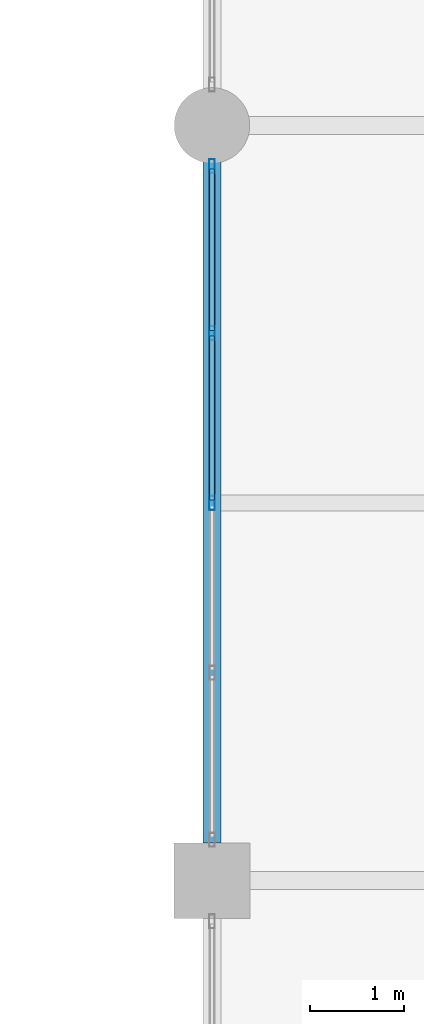
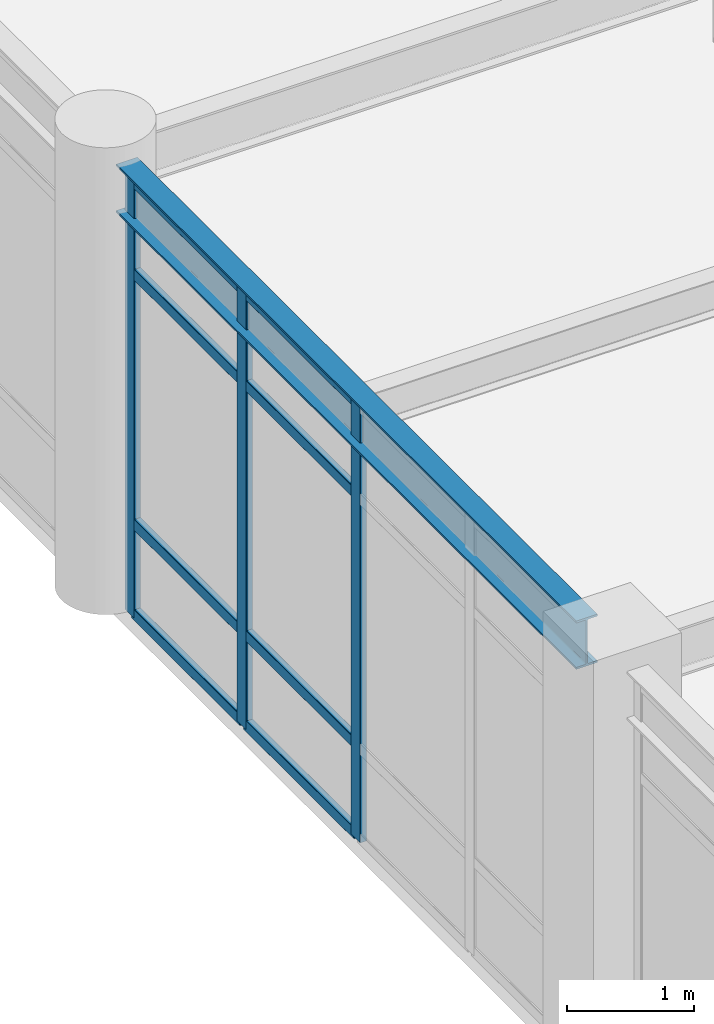
# One storey, part 19 of 78: 11 members, 1 beam, 1 element without a shape of its own.
"""IFC4 building model written with IfcOpenShell, lengths in metres."""

from ifc_helpers import new_model, si_unit, direction, frame, origin, origin_2d, place, context, subcontext, project, spatial, hollow_rectangle, i_section, extrude, material, material_profile, profile_set, type_object, element, aggregate, save


model = new_model("IFC4")

# Units and contexts
model_context = context("Model", 3, precision=1e-05, world=origin(), true_north=direction((0.0, 1.0)))
body_context = subcontext(model_context, "Body", "Model", "MODEL_VIEW")
ifc_project = project(units=[si_unit("LENGTHUNIT", "METRE"), si_unit("AREAUNIT", "SQUARE_METRE"), si_unit("VOLUMEUNIT", "CUBIC_METRE"), si_unit("PLANEANGLEUNIT", "RADIAN"), si_unit("MASSUNIT", "GRAM", prefix="KILO")], contexts=[model_context])

# Site, building, storey
site_placement = place(None, origin())
site = spatial("IfcSite", under=ifc_project, at=site_placement, CompositionType="ELEMENT")
building_placement = place(site_placement, origin())
building = spatial("IfcBuilding", under=site, at=building_placement, Name="Solmirada Galleria", CompositionType="ELEMENT")
storey_placement = place(building_placement, frame((0.0, 0.0, 23.89990234375)))
storey = spatial("IfcBuildingStorey", under=building, at=storey_placement, Name="L05", CompositionType="ELEMENT", Elevation=23.89990234375)

# Beam
ifc_material_1 = material(Name="Steel S355 / ASTM A992 Grade 50", Category="steel")
ifc_material_profile_1 = material_profile(ifc_material_1, i_section(OverallWidth=0.193115234375, OverallDepth=0.466064453125, WebThickness=0.011474609375, FlangeThickness=0.01904296875, FilletRadius=0.013916015625, at=origin_2d()), Name="W18X65")
ifc_profile_set_1 = profile_set([ifc_material_profile_1], Name="Steel S355 / ASTM A992 Grade 50")
beam_type = type_object("IfcBeamType", Name="BM-GIRD-W18C", PredefinedType="BEAM", material=ifc_profile_set_1)
beam_placement = place(storey_placement, frame((80.0, 56.39990234375, 4.067138671875), z_axis=(0.0, 1.0, 0.0), x_axis=(-1.0, 0.0, 0.0)))
element("IfcBeam", 1, at=beam_placement, inside=storey, type_object=beam_type, Name="Primary girder L06 Y(80, 56..64)", PredefinedType="BEAM", context=body_context, shape_type="SweptSolid", body=[
    extrude(i_section(OverallWidth=0.193115234375, OverallDepth=0.466064453125, WebThickness=0.011474609375, FlangeThickness=0.01904296875, FilletRadius=0.013916015625, at=origin_2d()), origin(), (0.0, 0.0, 1.0), 7.26416015625),
])

# Curtain wall, members
ifc_material_2 = material(Name="Impact-resistant low-E double glazing", Category="glass")
curtain_wall_type = type_object("IfcCurtainWallType", Name="CW-FZ3-L05-B4-L072", PredefinedType="NOTDEFINED", material=ifc_material_2)
curtain_wall_placement = place(storey_placement, origin())
curtain_wall = element("IfcCurtainWall", 2, at=curtain_wall_placement, inside=storey, type_object=curtain_wall_type, Name="Terrace and arcade storefront CW-L05-165", PredefinedType="NOTDEFINED")
ifc_material_3 = material(Name="Anodised aluminium framing", Category="aluminium")
ifc_material_profile_2 = material_profile(ifc_material_3, hollow_rectangle(XDim=0.06005859375, YDim=0.14990234375, WallThickness=0.00341796875, InnerFilletRadius=0.00341796875, OuterFilletRadius=0.007080078125, at=origin_2d()), Name="ALU-MULL-150X60")
ifc_profile_set_2 = profile_set([ifc_material_profile_2], Name="Anodised aluminium framing")
member_type_1 = type_object("IfcMemberType", Name="CW-MULL-150", PredefinedType="MULLION", material=ifc_profile_set_2)
member_1_placement = place(storey_placement, frame((80.0, 60.0, 0.0), z_axis=(0.0, 0.0, 1.0), x_axis=(-1.0, 0.0, 0.0)))
member_1 = element("IfcMember", 3, at=member_1_placement, type_object=member_type_1, Name="CW33 mullion 3", PredefinedType="MULLION", context=body_context, shape_type="SweptSolid", body=[
    extrude(hollow_rectangle(XDim=0.06005859375, YDim=0.14990234375, WallThickness=0.00341796875, InnerFilletRadius=0.00341796875, OuterFilletRadius=0.007080078125, at=origin_2d()), origin(), (0.0, 0.0, 1.0), 4.22021484375),
])
member_2_placement = place(storey_placement, frame((80.0, 61.799072265625, 0.0), z_axis=(0.0, 0.0, 1.0), x_axis=(-1.0, 0.0, 0.0)))
member_2 = element("IfcMember", 4, at=member_2_placement, type_object=member_type_1, Name="CW33 mullion 4", PredefinedType="MULLION", context=body_context, shape_type="SweptSolid", body=[
    extrude(hollow_rectangle(XDim=0.06005859375, YDim=0.14990234375, WallThickness=0.00341796875, InnerFilletRadius=0.00341796875, OuterFilletRadius=0.007080078125, at=origin_2d()), origin(), (0.0, 0.0, 1.0), 4.22021484375),
])
member_3_placement = place(storey_placement, frame((80.0, 63.568115234375, 0.0), z_axis=(0.0, 0.0, 1.0), x_axis=(-1.0, 0.0, 0.0)))
member_3 = element("IfcMember", 5, at=member_3_placement, type_object=member_type_1, Name="CW33 mullion 5", PredefinedType="MULLION", context=body_context, shape_type="SweptSolid", body=[
    extrude(hollow_rectangle(XDim=0.06005859375, YDim=0.14990234375, WallThickness=0.00341796875, InnerFilletRadius=0.00341796875, OuterFilletRadius=0.007080078125, at=origin_2d()), origin(), (0.0, 0.0, 1.0), 4.22021484375),
])
ifc_material_profile_3 = material_profile(ifc_material_3, hollow_rectangle(XDim=0.06005859375, YDim=0.110107421875, WallThickness=0.003173828125, InnerFilletRadius=0.003173828125, OuterFilletRadius=0.00634765625, at=origin_2d()), Name="ALU-TRAN-110X60")
ifc_profile_set_3 = profile_set([ifc_material_profile_3], Name="Anodised aluminium framing")
member_type_2 = type_object("IfcMemberType", Name="CW-TRAN-110", PredefinedType="USERDEFINED", material=ifc_profile_set_3)
member_4_placement = place(storey_placement, frame((80.0, 60.030029296875, 0.030029296875), z_axis=(0.0, 1.0, 0.0), x_axis=(-1.0, 0.0, 0.0)))
member_4 = element("IfcMember", 6, at=member_4_placement, type_object=member_type_2, Name="CW33 transom 3.1", ObjectType="TRANSOM", PredefinedType="USERDEFINED", context=body_context, shape_type="SweptSolid", body=[
    extrude(hollow_rectangle(XDim=0.06005859375, YDim=0.110107421875, WallThickness=0.003173828125, InnerFilletRadius=0.003173828125, OuterFilletRadius=0.00634765625, at=origin_2d()), origin(), (0.0, 0.0, 1.0), 1.739013671875),
])
member_5_placement = place(storey_placement, frame((80.0, 60.030029296875, 0.900146484375), z_axis=(0.0, 1.0, 0.0), x_axis=(-1.0, 0.0, 0.0)))
member_5 = element("IfcMember", 7, at=member_5_placement, type_object=member_type_2, Name="CW33 transom 3.2", ObjectType="TRANSOM", PredefinedType="USERDEFINED", context=body_context, shape_type="SweptSolid", body=[
    extrude(hollow_rectangle(XDim=0.06005859375, YDim=0.110107421875, WallThickness=0.003173828125, InnerFilletRadius=0.003173828125, OuterFilletRadius=0.00634765625, at=origin_2d()), origin(), (0.0, 0.0, 1.0), 1.739013671875),
])
member_6_placement = place(storey_placement, frame((80.0, 60.030029296875, 3.31005859375), z_axis=(0.0, 1.0, 0.0), x_axis=(-1.0, 0.0, 0.0)))
member_6 = element("IfcMember", 8, at=member_6_placement, type_object=member_type_2, Name="CW33 transom 3.3", ObjectType="TRANSOM", PredefinedType="USERDEFINED", context=body_context, shape_type="SweptSolid", body=[
    extrude(hollow_rectangle(XDim=0.06005859375, YDim=0.110107421875, WallThickness=0.003173828125, InnerFilletRadius=0.003173828125, OuterFilletRadius=0.00634765625, at=origin_2d()), origin(), (0.0, 0.0, 1.0), 1.739013671875),
])
member_7_placement = place(storey_placement, frame((80.0, 60.030029296875, 4.190185546875), z_axis=(0.0, 1.0, 0.0), x_axis=(-1.0, 0.0, 0.0)))
member_7 = element("IfcMember", 9, at=member_7_placement, type_object=member_type_2, Name="CW33 transom 3.4", ObjectType="TRANSOM", PredefinedType="USERDEFINED", context=body_context, shape_type="SweptSolid", body=[
    extrude(hollow_rectangle(XDim=0.06005859375, YDim=0.110107421875, WallThickness=0.003173828125, InnerFilletRadius=0.003173828125, OuterFilletRadius=0.00634765625, at=origin_2d()), origin(), (0.0, 0.0, 1.0), 1.739013671875),
])
member_8_placement = place(storey_placement, frame((80.0, 61.8291015625, 0.030029296875), z_axis=(0.0, 1.0, 0.0), x_axis=(-1.0, 0.0, 0.0)))
member_8 = element("IfcMember", 10, at=member_8_placement, type_object=member_type_2, Name="CW33 transom 4.1", ObjectType="TRANSOM", PredefinedType="USERDEFINED", context=body_context, shape_type="SweptSolid", body=[
    extrude(hollow_rectangle(XDim=0.06005859375, YDim=0.110107421875, WallThickness=0.003173828125, InnerFilletRadius=0.003173828125, OuterFilletRadius=0.00634765625, at=origin_2d()), origin(), (0.0, 0.0, 1.0), 1.708984375),
])
member_9_placement = place(storey_placement, frame((80.0, 61.8291015625, 0.900146484375), z_axis=(0.0, 1.0, 0.0), x_axis=(-1.0, 0.0, 0.0)))
member_9 = element("IfcMember", 11, at=member_9_placement, type_object=member_type_2, Name="CW33 transom 4.2", ObjectType="TRANSOM", PredefinedType="USERDEFINED", context=body_context, shape_type="SweptSolid", body=[
    extrude(hollow_rectangle(XDim=0.06005859375, YDim=0.110107421875, WallThickness=0.003173828125, InnerFilletRadius=0.003173828125, OuterFilletRadius=0.00634765625, at=origin_2d()), origin(), (0.0, 0.0, 1.0), 1.708984375),
])
member_10_placement = place(storey_placement, frame((80.0, 61.8291015625, 3.31005859375), z_axis=(0.0, 1.0, 0.0), x_axis=(-1.0, 0.0, 0.0)))
member_10 = element("IfcMember", 12, at=member_10_placement, type_object=member_type_2, Name="CW33 transom 4.3", ObjectType="TRANSOM", PredefinedType="USERDEFINED", context=body_context, shape_type="SweptSolid", body=[
    extrude(hollow_rectangle(XDim=0.06005859375, YDim=0.110107421875, WallThickness=0.003173828125, InnerFilletRadius=0.003173828125, OuterFilletRadius=0.00634765625, at=origin_2d()), origin(), (0.0, 0.0, 1.0), 1.708984375),
])
member_11_placement = place(storey_placement, frame((80.0, 61.8291015625, 4.190185546875), z_axis=(0.0, 1.0, 0.0), x_axis=(-1.0, 0.0, 0.0)))
member_11 = element("IfcMember", 13, at=member_11_placement, type_object=member_type_2, Name="CW33 transom 4.4", ObjectType="TRANSOM", PredefinedType="USERDEFINED", context=body_context, shape_type="SweptSolid", body=[
    extrude(hollow_rectangle(XDim=0.06005859375, YDim=0.110107421875, WallThickness=0.003173828125, InnerFilletRadius=0.003173828125, OuterFilletRadius=0.00634765625, at=origin_2d()), origin(), (0.0, 0.0, 1.0), 1.708984375),
])
aggregate(curtain_wall, [member_1, member_2, member_3, member_4, member_5, member_6, member_7, member_8, member_9, member_10, member_11])

save(model, "model.ifc")
